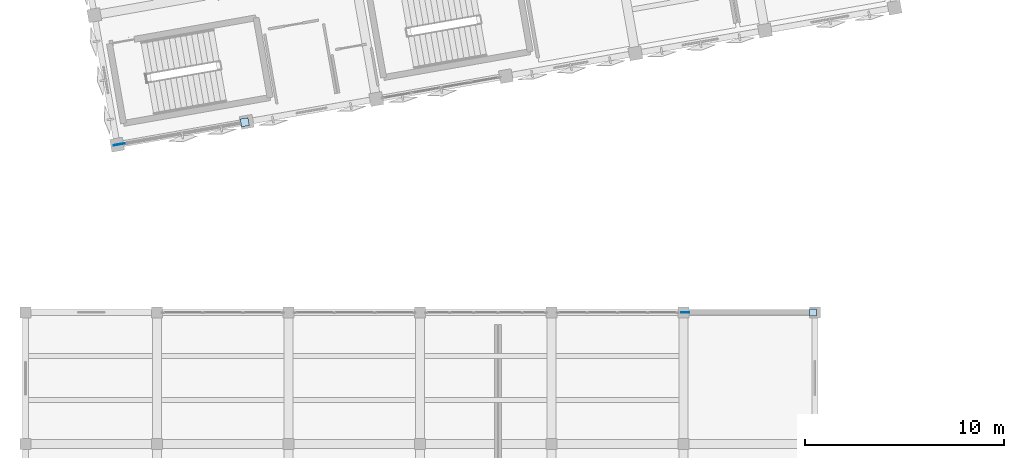
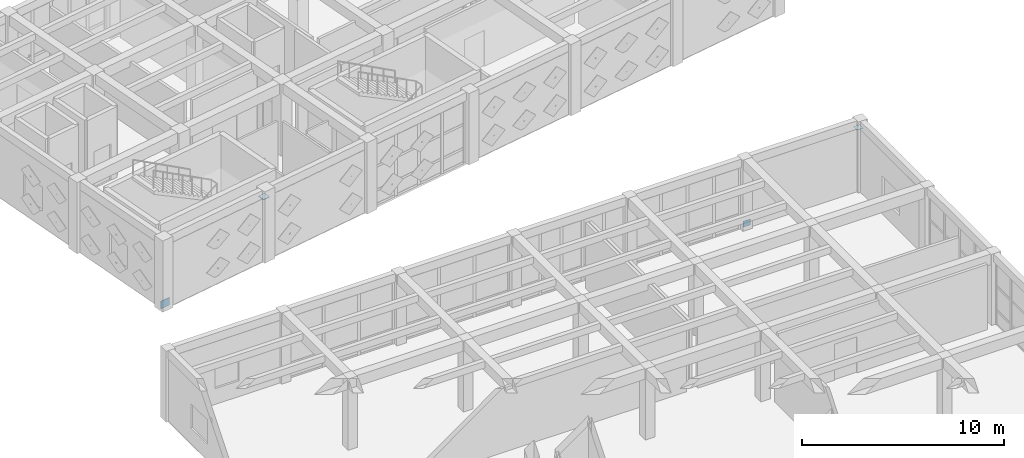
# One storey, part 32 of 48: 4 plates.
"""IFC4 building model written with IfcOpenShell, lengths in metres."""

from ifc_helpers import new_model, si_unit, direction, frame, origin, origin_2d, place, context, subcontext, project, spatial, rectangle, extrude, material, layer, layer_set, type_object, element, save


model = new_model("IFC4")

# Units and contexts
model_context = context("Model", 3, precision=1e-05, world=origin(), true_north=direction((0.0, 1.0)))
body_context = subcontext(model_context, "Body", "Model", "MODEL_VIEW")
ifc_project = project(units=[si_unit("LENGTHUNIT", "METRE"), si_unit("AREAUNIT", "SQUARE_METRE"), si_unit("VOLUMEUNIT", "CUBIC_METRE"), si_unit("PLANEANGLEUNIT", "RADIAN"), si_unit("MASSUNIT", "GRAM", prefix="KILO")], contexts=[model_context])

# Site, building, storey
site_placement = place(None, origin())
site = spatial("IfcSite", under=ifc_project, at=site_placement, CompositionType="ELEMENT")
building_placement = place(site_placement, origin())
building = spatial("IfcBuilding", under=site, at=building_placement, Name="Kharisveld Research Institute", CompositionType="ELEMENT")
storey_placement = place(building_placement, frame((0.0, 0.0, 14.10009765625)))
storey = spatial("IfcBuildingStorey", under=building, at=storey_placement, Name="L03", CompositionType="ELEMENT", Elevation=14.10009765625)

# Plates
ifc_material_1 = material(Name="Steel S355JR", Category="steel")
ifc_layer_1 = layer(ifc_material_1, 0.013916015625)
ifc_layer_set_1 = layer_set([ifc_layer_1], Name="PL_CAP_A")
plate_type_1 = type_object("IfcPlateType", Name="PL_CAP_A", PredefinedType="SHEET", material=ifc_layer_set_1)
plate_1_placement = place(storey_placement, frame((40.10009765625, 26.60009765625, 3.7431640625), z_axis=(0.0, 0.0, 1.0), x_axis=(1.0, 0.0, 0.0)))
element("IfcPlate", 1, at=plate_1_placement, inside=storey, type_object=plate_type_1, Name="PLT:V3:L03:CAP_5_4", PredefinedType="SHEET", context=body_context, shape_type="SweptSolid", body=[
    extrude(rectangle(XDim=0.360107421875, YDim=0.360107421875, at=origin_2d()), origin(), (0.0, 0.0, 1.0), 0.013916015625),
])
ifc_material_2 = material(Name="Steel S355JR", Category="steel")
ifc_layer_2 = layer(ifc_material_2, 0.030029296875)
ifc_layer_set_2 = layer_set([ifc_layer_2], Name="PL_CAP_E")
plate_type_2 = type_object("IfcPlateType", Name="PL_CAP_E", PredefinedType="SHEET", material=ifc_layer_set_2)
plate_2_placement = place(storey_placement, frame((11.601318359375, 36.138671875, 3.7451171875), z_axis=(0.0, 0.0, 1.0), x_axis=(0.984807753012, 0.173648177667, 0.0)))
element("IfcPlate", 2, at=plate_2_placement, inside=storey, type_object=plate_type_2, Name="PLT:V1:L03:CAP_0_0", PredefinedType="SHEET", context=body_context, shape_type="SweptSolid", body=[
    extrude(rectangle(XDim=0.39990234375, YDim=0.39990234375, at=origin_2d()), origin(), (0.0, 0.0, 1.0), 0.030029296875),
])
ifc_material_3 = material(Name="Steel S355JR", Category="steel")
ifc_layer_3 = layer(ifc_material_3, 0.01611328125)
ifc_layer_set_3 = layer_set([ifc_layer_3], Name="PL_GUS_A")
plate_type_3 = type_object("IfcPlateType", Name="PL_GUS_A", PredefinedType="USERDEFINED", material=ifc_layer_set_3)
plate_3_placement = place(storey_placement, frame((33.699951171875, 26.60009765625, 0.02001953125), z_axis=(0.0, 0.0, 1.0), x_axis=(1.0, 0.0, 0.0)))
element("IfcPlate", 3, at=plate_3_placement, inside=storey, type_object=plate_type_3, Name="PLT:V3:L03:GUS_5_4", ObjectType="GUSSET PLATE", PredefinedType="USERDEFINED", context=body_context, shape_type="SweptSolid", body=[
    extrude(rectangle(XDim=0.419921875, YDim=0.01611328125, at=origin_2d()), origin(), (0.0, 0.0, 1.0), 0.360107421875),
])
ifc_material_4 = material(Name="Steel S355JR", Category="steel")
ifc_layer_4 = layer(ifc_material_4, 0.031982421875)
ifc_layer_set_4 = layer_set([ifc_layer_4], Name="PL_GUS_E")
plate_type_4 = type_object("IfcPlateType", Name="PL_GUS_E", PredefinedType="USERDEFINED", material=ifc_layer_set_4)
plate_4_placement = place(storey_placement, frame((5.298583984375, 35.02734375, -0.030029296875), z_axis=(0.0, 0.0, 1.0), x_axis=(0.984807753012, 0.173648177667, 0.0)))
element("IfcPlate", 4, at=plate_4_placement, inside=storey, type_object=plate_type_4, Name="PLT:V1:L03:GUS_0_0", ObjectType="GUSSET PLATE", PredefinedType="USERDEFINED", context=body_context, shape_type="SweptSolid", body=[
    extrude(rectangle(XDim=0.56005859375, YDim=0.031982421875, at=origin_2d()), origin(), (0.0, 0.0, 1.0), 0.4599609375),
])

save(model, "model.ifc")
